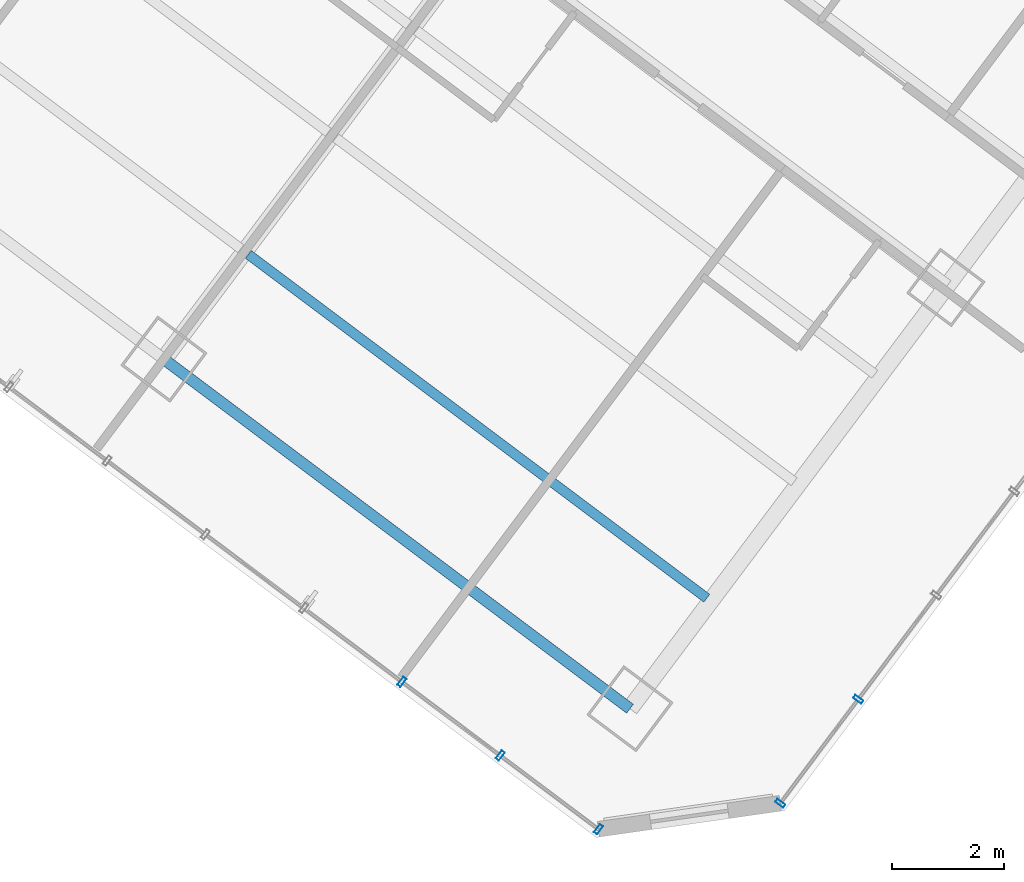
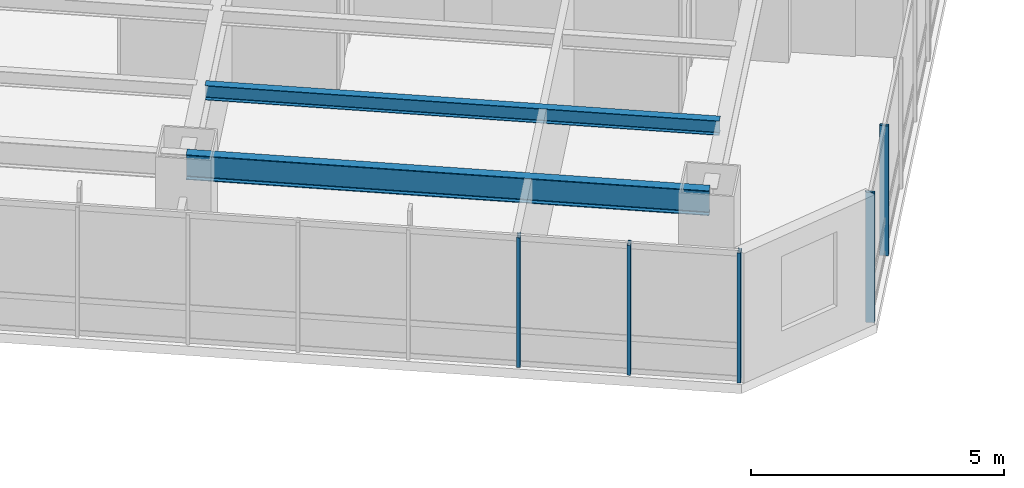
# One storey, part 13 of 38: 5 members, 2 beams, 2 elements without a shape of their own.
"""IFC4 building model written with IfcOpenShell, lengths in metres."""

from ifc_helpers import new_model, si_unit, direction, frame, origin, origin_2d, place, context, subcontext, project, spatial, hollow_rectangle, i_section, extrude, material, layer, layer_set, material_profile, profile_set, type_object, element, aggregate, save


model = new_model("IFC4")

# Units and contexts
model_context = context("Model", 3, precision=1e-05, world=origin(), true_north=direction((0.0, 1.0)))
body_context = subcontext(model_context, "Body", "Model", "MODEL_VIEW")
ifc_project = project(units=[si_unit("LENGTHUNIT", "METRE"), si_unit("AREAUNIT", "SQUARE_METRE"), si_unit("VOLUMEUNIT", "CUBIC_METRE"), si_unit("PLANEANGLEUNIT", "RADIAN"), si_unit("MASSUNIT", "GRAM", prefix="KILO")], contexts=[model_context])

# Site, building, storey
site_placement = place(None, origin())
site = spatial("IfcSite", under=ifc_project, at=site_placement, CompositionType="ELEMENT")
building_placement = place(site_placement, origin())
building = spatial("IfcBuilding", under=site, at=building_placement, Name="Hatsunagi Terrace Concourse", CompositionType="ELEMENT")
storey_placement = place(building_placement, frame((0.0, 0.0, 63.39990234375)))
storey = spatial("IfcBuildingStorey", under=building, at=storey_placement, Name="L16", CompositionType="ELEMENT", Elevation=63.39990234375)

# Curtain wall, members
ifc_material_1 = material(Name="Anodised Aluminium Alloy 6063-T5", Category="aluminium")
ifc_layer = layer(ifc_material_1, 0.199951171875)
ifc_layer_set = layer_set([ifc_layer], Name="HotelFacade_CW02")
curtain_wall_type = type_object("IfcCurtainWallType", Name="HotelFacade_CW02", PredefinedType="NOTDEFINED", material=ifc_layer_set)
curtain_wall_1_placement = place(storey_placement, origin())
curtain_wall_1 = element("IfcCurtainWall", 1, at=curtain_wall_1_placement, inside=storey, type_object=curtain_wall_type, Name="Unitised Curtain Wall CW-02 CW-L16-03", PredefinedType="NOTDEFINED")
ifc_material_2 = material(Name="Anodised Aluminium Alloy 6063-T5", Category="aluminium")
ifc_material_profile_1 = material_profile(ifc_material_2, hollow_rectangle(XDim=0.070068359375, YDim=0.179931640625, WallThickness=0.00390625, at=origin_2d()), Name="ALU-MUL-180x70x4")
ifc_profile_set_1 = profile_set([ifc_material_profile_1], Name="Anodised Aluminium Alloy 6063-T5")
member_type = type_object("IfcMemberType", Name="CurtainWallMullion_180x70", PredefinedType="MULLION", material=ifc_profile_set_1)
member_1_placement = place(storey_placement, frame((57.955078125, 4.805908203125, 0.0), z_axis=(0.0, 0.0, 1.0), x_axis=(-0.599969314634, -0.800023013105, 0.0)))
member_1 = element("IfcMember", 2, at=member_1_placement, type_object=member_type, Name="Curtain Wall Mullion MUL-02", PredefinedType="MULLION", context=body_context, shape_type="SweptSolid", body=[
    extrude(hollow_rectangle(XDim=0.070068359375, YDim=0.179931640625, WallThickness=0.00390625, at=origin_2d()), origin(), (0.0, 0.0, 1.0), 3.130126953125),
])
member_2_placement = place(storey_placement, frame((56.56298828125, 2.949951171875, 0.0), z_axis=(0.0, 0.0, 1.0), x_axis=(-0.599969314634, -0.800023013105, 0.0)))
member_2 = element("IfcMember", 3, at=member_2_placement, type_object=member_type, Name="Curtain Wall Mullion MUL-02", PredefinedType="MULLION", context=body_context, shape_type="SweptSolid", body=[
    extrude(hollow_rectangle(XDim=0.070068359375, YDim=0.179931640625, WallThickness=0.00390625, at=origin_2d()), origin(), (0.0, 0.0, 1.0), 3.130126953125),
])
aggregate(curtain_wall_1, [member_1, member_2])

curtain_wall_2_placement = place(storey_placement, origin())
curtain_wall_2 = element("IfcCurtainWall", 4, at=curtain_wall_2_placement, inside=storey, type_object=curtain_wall_type, Name="Unitised Curtain Wall CW-02 CW-L16-05", PredefinedType="NOTDEFINED")
member_3_placement = place(storey_placement, frame((53.318115234375, 2.487060546875, 0.0), z_axis=(0.0, 0.0, 1.0), x_axis=(-0.800003116929, 0.599995844072, 0.0)))
member_3 = element("IfcMember", 5, at=member_3_placement, type_object=member_type, Name="Curtain Wall Mullion MUL-02", PredefinedType="MULLION", context=body_context, shape_type="SweptSolid", body=[
    extrude(hollow_rectangle(XDim=0.070068359375, YDim=0.179931640625, WallThickness=0.00390625, at=origin_2d()), origin(), (0.0, 0.0, 1.0), 3.130126953125),
])
member_4_placement = place(storey_placement, frame((51.56396484375, 3.802978515625, 0.0), z_axis=(0.0, 0.0, 1.0), x_axis=(-0.800003116929, 0.599995844072, 0.0)))
member_4 = element("IfcMember", 6, at=member_4_placement, type_object=member_type, Name="Curtain Wall Mullion MUL-02", PredefinedType="MULLION", context=body_context, shape_type="SweptSolid", body=[
    extrude(hollow_rectangle(XDim=0.070068359375, YDim=0.179931640625, WallThickness=0.00390625, at=origin_2d()), origin(), (0.0, 0.0, 1.0), 3.130126953125),
])
member_5_placement = place(storey_placement, frame((49.80908203125, 5.118896484375, 0.0), z_axis=(0.0, 0.0, 1.0), x_axis=(-0.800003116929, 0.599995844072, 0.0)))
member_5 = element("IfcMember", 7, at=member_5_placement, type_object=member_type, Name="Curtain Wall Mullion MUL-02", PredefinedType="MULLION", context=body_context, shape_type="SweptSolid", body=[
    extrude(hollow_rectangle(XDim=0.070068359375, YDim=0.179931640625, WallThickness=0.00390625, at=origin_2d()), origin(), (0.0, 0.0, 1.0), 3.130126953125),
])
aggregate(curtain_wall_2, [member_3, member_4, member_5])

# Beams
ifc_material_3 = material(Name="Steel SN490B", Category="steel")
ifc_material_profile_2 = material_profile(ifc_material_3, i_section(OverallWidth=0.175048828125, OverallDepth=0.35009765625, WebThickness=0.007080078125, FlangeThickness=0.010986328125, FilletRadius=0.012939453125, at=origin_2d()), Name="H-350x175x7x11")
ifc_profile_set_2 = profile_set([ifc_material_profile_2], Name="Steel SN490B")
beam_type_1 = type_object("IfcBeamType", Name="HotelJoist_H_350x175", PredefinedType="JOIST", material=ifc_profile_set_2)
beam_1_placement = place(storey_placement, frame((47.068115234375, 12.7490234375, 2.955078125), z_axis=(0.799997136125, -0.600003818481, 0.0), x_axis=(0.600003818481, 0.799997136125, 0.0)))
element("IfcBeam", 8, at=beam_1_placement, inside=storey, type_object=beam_type_1, Name="Beam J-02 J-L16-SE-3-46", PredefinedType="JOIST", context=body_context, shape_type="SweptSolid", body=[
    extrude(i_section(OverallWidth=0.175048828125, OverallDepth=0.35009765625, WebThickness=0.007080078125, FlangeThickness=0.010986328125, FilletRadius=0.012939453125, at=origin_2d()), origin(), (0.0, 0.0, 1.0), 10.229736328125),
])
ifc_material_4 = material(Name="Steel SN490B", Category="steel")
ifc_material_profile_3 = material_profile(ifc_material_4, i_section(OverallWidth=0.199951171875, OverallDepth=0.60009765625, WebThickness=0.010986328125, FlangeThickness=0.01708984375, FilletRadius=0.01806640625, at=origin_2d()), Name="H-600x200x11x17")
ifc_profile_set_3 = profile_set([ifc_material_profile_3], Name="Steel SN490B")
beam_type_2 = type_object("IfcBeamType", Name="PerimeterSpandrel_H_600x200", PredefinedType="SPANDREL", material=ifc_profile_set_3)
beam_2_placement = place(storey_placement, frame((45.56005859375, 10.8798828125, 2.830078125), z_axis=(0.799994365871, -0.600007512099, 0.0), x_axis=(0.600007512099, 0.799994365871, 0.0)))
element("IfcBeam", 9, at=beam_2_placement, inside=storey, type_object=beam_type_2, Name="Beam SP-01 BM-L16-SE-SW3", PredefinedType="SPANDREL", context=body_context, shape_type="SweptSolid", body=[
    extrude(i_section(OverallWidth=0.199951171875, OverallDepth=0.60009765625, WebThickness=0.010986328125, FlangeThickness=0.01708984375, FilletRadius=0.01806640625, at=origin_2d()), origin(), (0.0, 0.0, 1.0), 10.39990234375),
])

save(model, "model.ifc")
